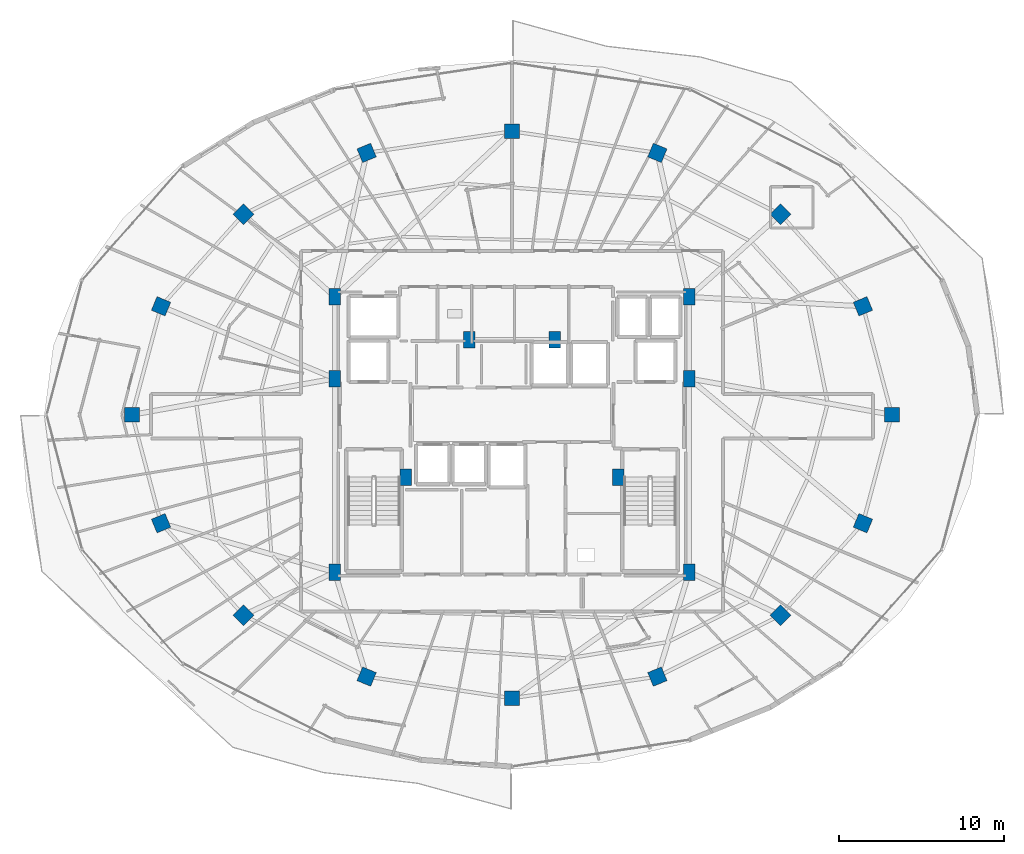
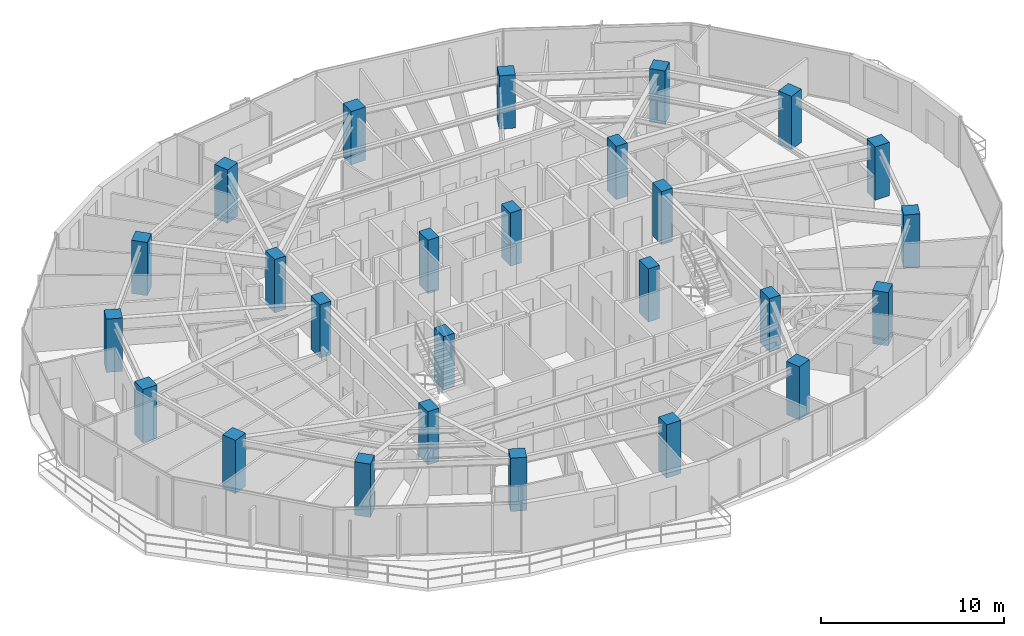
# One storey, part 1 of 33: 26 columns.
"""IFC4 building model written with IfcOpenShell, lengths in metres."""

from ifc_helpers import new_model, si_unit, direction, frame, origin, origin_2d, place, context, subcontext, project, spatial, rectangle, extrude, material, material_profile, profile_set, type_object, element, save


model = new_model("IFC4")

# Units and contexts
model_context = context("Model", 3, precision=1e-05, world=origin(), true_north=direction((0.0, 1.0)))
body_context = subcontext(model_context, "Body", "Model", "MODEL_VIEW")
ifc_project = project(units=[si_unit("LENGTHUNIT", "METRE"), si_unit("AREAUNIT", "SQUARE_METRE"), si_unit("VOLUMEUNIT", "CUBIC_METRE"), si_unit("PLANEANGLEUNIT", "RADIAN"), si_unit("MASSUNIT", "GRAM", prefix="KILO")], contexts=[model_context])

# Site, building, storey
site_placement = place(None, origin())
site = spatial("IfcSite", under=ifc_project, at=site_placement, CompositionType="ELEMENT")
building_placement = place(site_placement, origin())
building = spatial("IfcBuilding", under=site, at=building_placement, Name="Vorneva Point Tower", CompositionType="ELEMENT")
storey_placement = place(building_placement, frame((0.0, 0.0, 217.85009765625)))
storey = spatial("IfcBuildingStorey", under=building, at=storey_placement, Name="L59", CompositionType="ELEMENT", Elevation=217.85009765625)

# Columns
ifc_material = material(Name="Concrete B50 (C40/50)", Category="concrete")
ifc_material_profile_1 = material_profile(ifc_material, rectangle(XDim=0.89990234375, YDim=0.89990234375, at=origin_2d()), Name="RC-COL 900x900")
ifc_profile_set_1 = profile_set([ifc_material_profile_1], Name="Concrete B50 (C40/50)")
column_type_1 = type_object("IfcColumnType", Name="COL-RC900", PredefinedType="COLUMN", material=ifc_profile_set_1)
for number, where, z_axis, x_axis, name in (
    (1, (61.050048828125, 26.0, 0.0), (0.0, 0.0, 1.0), (1.0, 0.0, 0.0), "L59 Perimeter Column P01"),
    (2, (59.29541015625, 32.582275390625, 0.0), (0.0, 0.0, 1.0), (0.923879532511, 0.382683432365, 0.0), "L59 Perimeter Column P02"),
    (3, (54.298828125, 38.162109375, 0.0), (0.0, 0.0, 1.0), (0.707106781187, 0.707106781187, 0.0), "L59 Perimeter Column P03"),
    (4, (46.82080078125, 41.890625, 0.0), (0.0, 0.0, 1.0), (0.382683432365, 0.923879532511, 0.0), "L59 Perimeter Column P04"),
    (5, (38.0, 43.199951171875, 0.0), (0.0, 0.0, 1.0), (0.0, 1.0, 0.0), "L59 Perimeter Column P05"),
    (6, (29.17919921875, 41.890625, 0.0), (0.0, 0.0, 1.0), (-0.382683432365, 0.923879532511, 0.0), "L59 Perimeter Column P06"),
    (7, (21.701171875, 38.162109375, 0.0), (0.0, 0.0, 1.0), (-0.707106781187, 0.707106781187, 0.0), "L59 Perimeter Column P07"),
    (8, (16.70458984375, 32.582275390625, 0.0), (0.0, 0.0, 1.0), (-0.923879532511, 0.382683432365, 0.0), "L59 Perimeter Column P08"),
    (9, (14.949951171875, 26.0, 0.0), (0.0, 0.0, 1.0), (-1.0, 0.0, 0.0), "L59 Perimeter Column P09"),
    (10, (16.70458984375, 19.417724609375, 0.0), (0.0, 0.0, 1.0), (-0.923879532511, -0.382683432365, 0.0), "L59 Perimeter Column P10"),
    (11, (21.701171875, 13.837890625, 0.0), (0.0, 0.0, 1.0), (-0.707106781187, -0.707106781187, 0.0), "L59 Perimeter Column P11"),
    (12, (29.17919921875, 10.109375, 0.0), (0.0, 0.0, 1.0), (-0.382683432365, -0.923879532511, 0.0), "L59 Perimeter Column P12"),
    (13, (38.0, 8.800048828125, 0.0), (0.0, 0.0, 1.0), (0.0, -1.0, 0.0), "L59 Perimeter Column P13"),
    (14, (46.82080078125, 10.109375, 0.0), (0.0, 0.0, 1.0), (0.382683432365, -0.923879532511, 0.0), "L59 Perimeter Column P14"),
    (15, (54.298828125, 13.837890625, 0.0), (0.0, 0.0, 1.0), (0.707106781187, -0.707106781187, 0.0), "L59 Perimeter Column P15"),
    (16, (59.29541015625, 19.417724609375, 0.0), (0.0, 0.0, 1.0), (0.923879532511, -0.382683432365, 0.0), "L59 Perimeter Column P16"),
):
    element("IfcColumn", number, at=place(storey_placement, frame(where, z_axis=z_axis, x_axis=x_axis)), inside=storey, type_object=column_type_1, Name=name, PredefinedType="COLUMN", context=body_context, shape_type="SweptSolid", body=[
        extrude(rectangle(XDim=0.89990234375, YDim=0.89990234375, at=origin_2d()), origin(), (0.0, 0.0, 1.0), 3.5498046875),
    ])
ifc_material_profile_2 = material_profile(ifc_material, rectangle(XDim=0.699951171875, YDim=1.0, at=origin_2d()), Name="RC-PIL 1000x700")
ifc_profile_set_2 = profile_set([ifc_material_profile_2], Name="Concrete B50 (C40/50)")
column_type_2 = type_object("IfcColumnType", Name="PIL-RC1000x700", PredefinedType="PILASTER", material=ifc_profile_set_2)
for number, where, z_axis, x_axis, name in (
    (17, (27.25, 16.449951171875, 0.0), (0.0, 0.0, 1.0), (1.0, 0.0, 0.0), "L59 Core Pilaster CP1"),
    (18, (27.25, 28.199951171875, 0.0), (0.0, 0.0, 1.0), (1.0, 0.0, 0.0), "L59 Core Pilaster CP2"),
    (19, (27.25, 33.14990234375, 0.0), (0.0, 0.0, 1.0), (1.0, 0.0, 0.0), "L59 Core Pilaster CP3"),
    (20, (31.550048828125, 22.199951171875, 0.0), (0.0, 0.0, 1.0), (1.0, 0.0, 0.0), "L59 Core Pilaster CP4"),
    (21, (48.75, 33.14990234375, 0.0), (0.0, 0.0, 1.0), (1.0, 0.0, 0.0), "L59 Core Pilaster CP5"),
    (22, (48.75, 28.199951171875, 0.0), (0.0, 0.0, 1.0), (1.0, 0.0, 0.0), "L59 Core Pilaster CP6"),
    (23, (48.75, 16.449951171875, 0.0), (0.0, 0.0, 1.0), (1.0, 0.0, 0.0), "L59 Core Pilaster CP7"),
    (24, (44.449951171875, 22.199951171875, 0.0), (0.0, 0.0, 1.0), (1.0, 0.0, 0.0), "L59 Core Pilaster CP8"),
    (25, (35.39990234375, 30.550048828125, 0.0), (0.0, 0.0, 1.0), (1.0, 0.0, 0.0), "L59 Core Pilaster CP9"),
    (26, (40.60009765625, 30.550048828125, 0.0), (0.0, 0.0, 1.0), (1.0, 0.0, 0.0), "L59 Core Pilaster CP10"),
):
    element("IfcColumn", number, at=place(storey_placement, frame(where, z_axis=z_axis, x_axis=x_axis)), inside=storey, type_object=column_type_2, Name=name, PredefinedType="PILASTER", context=body_context, shape_type="SweptSolid", body=[
        extrude(rectangle(XDim=0.699951171875, YDim=1.0, at=origin_2d()), origin(), (0.0, 0.0, 1.0), 3.5498046875),
    ])

save(model, "model.ifc")
